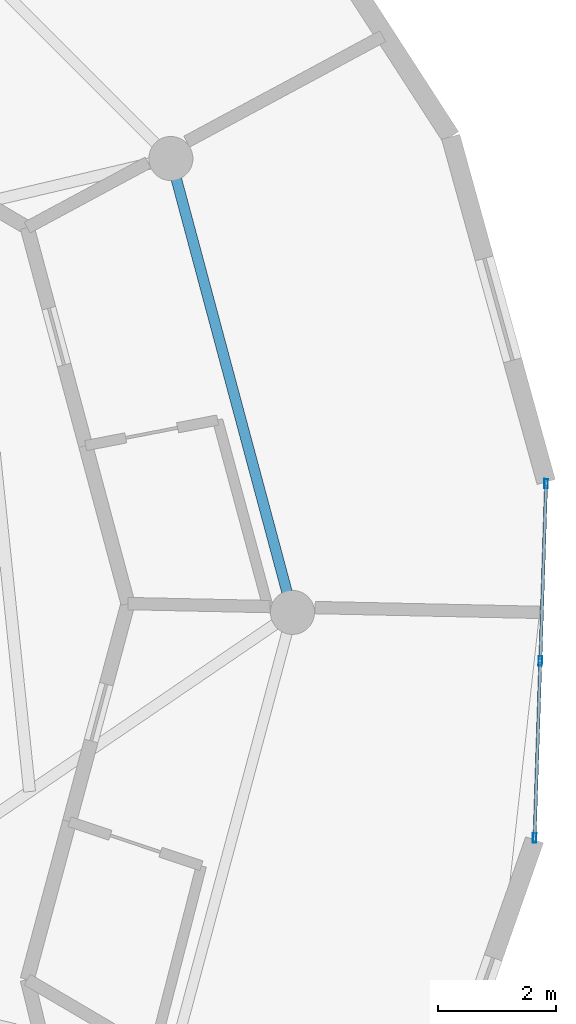
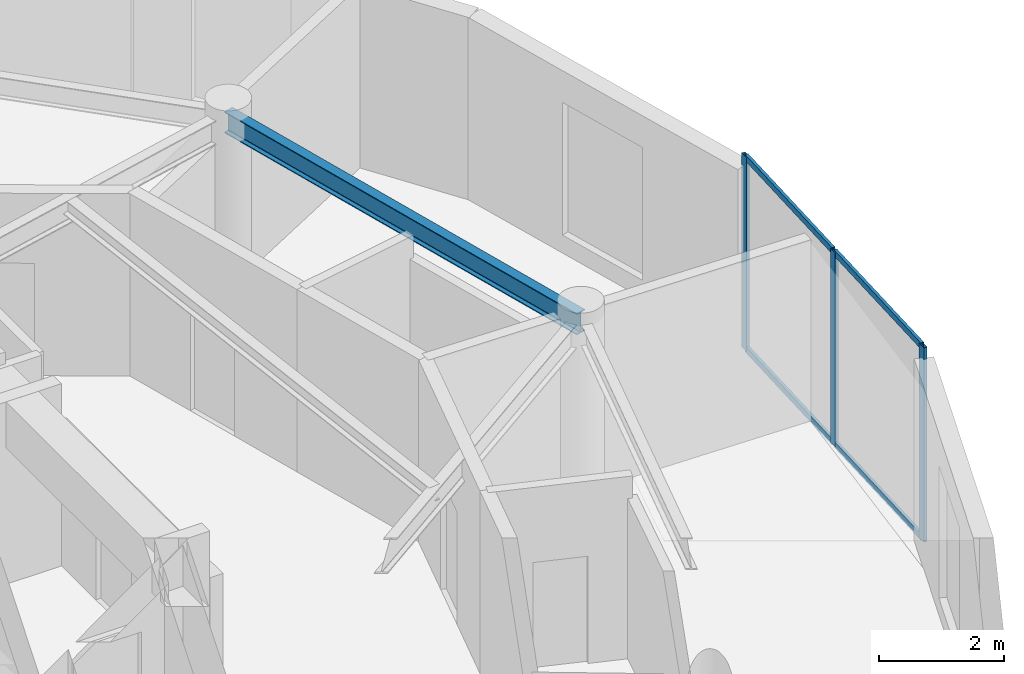
# One storey, part 4 of 16: 7 members, 1 beam, 1 element without a shape of its own.
"""IFC4 building model written with IfcOpenShell, lengths in metres."""

from ifc_helpers import new_model, si_unit, direction, frame, origin, origin_2d, place, context, subcontext, project, spatial, hollow_rectangle, i_section, extrude, source, transform, mapped, material, layer, layer_set, material_profile, profile_set, type_object, element, aggregate, save


model = new_model("IFC4")

# Units and contexts
model_context = context("Model", 3, precision=1e-05, world=origin(), true_north=direction((0.0, 1.0)))
body_context = subcontext(model_context, "Body", "Model", "MODEL_VIEW")
ifc_project = project(units=[si_unit("LENGTHUNIT", "METRE"), si_unit("AREAUNIT", "SQUARE_METRE"), si_unit("VOLUMEUNIT", "CUBIC_METRE"), si_unit("PLANEANGLEUNIT", "RADIAN"), si_unit("MASSUNIT", "GRAM", prefix="KILO")], contexts=[model_context])

# Site, building, storey
site_placement = place(None, origin())
site = spatial("IfcSite", under=ifc_project, at=site_placement, CompositionType="ELEMENT")
building_placement = place(site_placement, origin())
building = spatial("IfcBuilding", under=site, at=building_placement, Name="Solvirekh Grand Hotel", CompositionType="ELEMENT")
storey_placement = place(building_placement, frame((0.0, 0.0, 258.199951171875)))
storey = spatial("IfcBuildingStorey", under=building, at=storey_placement, Name="L67", CompositionType="ELEMENT", Elevation=258.199951171875)

# Beam
ifc_material_1 = material(Name="Steel S355", Category="steel")
ifc_material_profile_1 = material_profile(ifc_material_1, i_section(OverallWidth=0.180908203125, OverallDepth=0.4169921875, WebThickness=0.010009765625, FlangeThickness=0.01611328125, FilletRadius=0.011962890625, at=origin_2d()), Name="W410X85")
ifc_profile_set_1 = profile_set([ifc_material_profile_1], Name="Steel S355")
beam_type = type_object("IfcBeamType", Name="Spandrel_Ring_W410", PredefinedType="SPANDREL", material=ifc_profile_set_1)
beam_placement = place(storey_placement, frame((15.449951171875, 0.0, 3.361083984375), z_axis=(-0.258834757072, 0.965921616143, 0.0), x_axis=(-0.965921616143, -0.258834757072, 0.0)))
element("IfcBeam", 1, at=beam_placement, inside=storey, type_object=beam_type, Name="L67 perimeter spandrel beam 1", PredefinedType="SPANDREL", context=body_context, shape_type="SweptSolid", body=[
    extrude(i_section(OverallWidth=0.180908203125, OverallDepth=0.4169921875, WebThickness=0.010009765625, FlangeThickness=0.01611328125, FilletRadius=0.011962890625, at=origin_2d()), origin(), (0.0, 0.0, 1.0), 7.99755859375),
])

# Curtain wall, members
ifc_material_2 = material(Name="Anodized Bronze Aluminium 6063-T6", Category="aluminium")
ifc_layer = layer(ifc_material_2, 0.159912109375)
ifc_layer_set = layer_set([ifc_layer], Name="Anodized Bronze Aluminium 6063-T6")
curtain_wall_type = type_object("IfcCurtainWallType", Name="CW_Sys4_HighZoneFlushBronzeCW", PredefinedType="NOTDEFINED", material=ifc_layer_set)
curtain_wall_placement = place(storey_placement, origin())
curtain_wall = element("IfcCurtainWall", 2, at=curtain_wall_placement, inside=storey, type_object=curtain_wall_type, Name="L67 unitised bronze-glass curtain wall CW-L67-C05", PredefinedType="NOTDEFINED")
ifc_material_profile_2 = material_profile(ifc_material_2, hollow_rectangle(XDim=0.06005859375, YDim=0.159912109375, WallThickness=0.0048828125, at=origin_2d()), Name="ALU RHS 160X60X5")
ifc_profile_set_2 = profile_set([ifc_material_profile_2], Name="Anodized Bronze Aluminium 6063-T6")
member_type_1 = type_object("IfcMemberType", Name="CWMullion_Sys4", PredefinedType="MULLION", material=ifc_profile_set_2)
shared_shape_1 = source(origin(), body_context, "Body", "SweptSolid", [
    extrude(hollow_rectangle(XDim=0.06005859375, YDim=0.159912109375, WallThickness=0.0048828125, at=origin_2d()), origin(), (0.0, 0.0, 1.0), 3.800048828125),
])
member_1_placement = place(storey_placement, frame((19.571044921875, -3.842041015625, 0.0), z_axis=(0.0, 0.0, 1.0), x_axis=(-0.999472239741, 0.032484488421, 0.0)))
member_1 = element("IfcMember", 3, at=member_1_placement, type_object=member_type_1, Name="U04 mullion 1", PredefinedType="MULLION", context=body_context, shape_type="MappedRepresentation", body=[
    mapped(shared_shape_1, transform((0.0, 0.0, 0.0), x_axis=(1.0, 0.0, 0.0), y_axis=(0.0, 1.0, 0.0), z_axis=(0.0, 0.0, 1.0), scale=1.0)),
])
member_2_placement = place(storey_placement, frame((19.6689453125, -0.825927734375, 0.0), z_axis=(0.0, 0.0, 1.0), x_axis=(-0.999472239741, 0.032484488421, 0.0)))
member_2 = element("IfcMember", 4, at=member_2_placement, type_object=member_type_1, Name="U04 mullion 2", PredefinedType="MULLION", context=body_context, shape_type="MappedRepresentation", body=[
    mapped(shared_shape_1, transform((0.0, 0.0, 0.0), x_axis=(1.0, 0.0, 0.0), y_axis=(0.0, 1.0, 0.0), z_axis=(0.0, 0.0, 1.0), scale=1.0)),
])
member_3_placement = place(storey_placement, frame((19.76708984375, 2.18994140625, 0.0), z_axis=(0.0, 0.0, 1.0), x_axis=(-0.999472239741, 0.032484488421, 0.0)))
member_3 = element("IfcMember", 5, at=member_3_placement, type_object=member_type_1, Name="U04 mullion 3", PredefinedType="MULLION", context=body_context, shape_type="MappedRepresentation", body=[
    mapped(shared_shape_1, transform((0.0, 0.0, 0.0), x_axis=(1.0, 0.0, 0.0), y_axis=(0.0, 1.0, 0.0), z_axis=(0.0, 0.0, 1.0), scale=1.0)),
])
ifc_material_profile_3 = material_profile(ifc_material_2, hollow_rectangle(XDim=0.054931640625, YDim=0.1201171875, WallThickness=0.00390625, at=origin_2d()), Name="ALU RHS 120X55X4")
ifc_profile_set_3 = profile_set([ifc_material_profile_3], Name="Anodized Bronze Aluminium 6063-T6")
member_type_2 = type_object("IfcMemberType", Name="CWTransom_Sys4", PredefinedType="USERDEFINED", material=ifc_profile_set_3)
shared_shape_2 = source(origin(), body_context, "Body", "SweptSolid", [
    extrude(hollow_rectangle(XDim=0.054931640625, YDim=0.1201171875, WallThickness=0.00390625, at=origin_2d()), origin(), (0.0, 0.0, 1.0), 2.957275390625),
])
member_4_placement = place(storey_placement, frame((19.669921875, -0.7958984375, 0.027587890625), z_axis=(0.032525937997, 0.999470891701, 0.0), x_axis=(-0.999470891701, 0.032525937997, 0.0)))
member_4 = element("IfcMember", 6, at=member_4_placement, type_object=member_type_2, Name="U04 transom 2.1", ObjectType="TRANSOM", PredefinedType="USERDEFINED", context=body_context, shape_type="MappedRepresentation", body=[
    mapped(shared_shape_2, transform((0.0, 0.0, 0.0), x_axis=(1.0, 0.0, 0.0), y_axis=(0.0, 1.0, 0.0), z_axis=(0.0, 0.0, 1.0), scale=1.0)),
])
member_5_placement = place(storey_placement, frame((19.669921875, -0.7958984375, 3.7724609375), z_axis=(0.032525937997, 0.999470891701, 0.0), x_axis=(-0.999470891701, 0.032525937997, 0.0)))
member_5 = element("IfcMember", 7, at=member_5_placement, type_object=member_type_2, Name="U04 transom 2.2", ObjectType="TRANSOM", PredefinedType="USERDEFINED", context=body_context, shape_type="MappedRepresentation", body=[
    mapped(shared_shape_2, transform((0.0, 0.0, 0.0), x_axis=(1.0, 0.0, 0.0), y_axis=(0.0, 1.0, 0.0), z_axis=(0.0, 0.0, 1.0), scale=1.0)),
])
shared_shape_3 = source(origin(), body_context, "Body", "SweptSolid", [
    extrude(hollow_rectangle(XDim=0.054931640625, YDim=0.1201171875, WallThickness=0.00390625, at=origin_2d()), origin(), (0.0, 0.0, 1.0), 2.95751953125),
])
member_6_placement = place(storey_placement, frame((19.572021484375, -3.81201171875, 0.027587890625), z_axis=(0.032440795172, 0.999473658887, 0.0), x_axis=(-0.999473658887, 0.032440795172, 0.0)))
member_6 = element("IfcMember", 8, at=member_6_placement, type_object=member_type_2, Name="U04 transom 1.1", ObjectType="TRANSOM", PredefinedType="USERDEFINED", context=body_context, shape_type="MappedRepresentation", body=[
    mapped(shared_shape_3, transform((0.0, 0.0, 0.0), x_axis=(1.0, 0.0, 0.0), y_axis=(0.0, 1.0, 0.0), z_axis=(0.0, 0.0, 1.0), scale=1.0)),
])
member_7_placement = place(storey_placement, frame((19.572021484375, -3.81201171875, 3.7724609375), z_axis=(0.032440795172, 0.999473658887, 0.0), x_axis=(-0.999473658887, 0.032440795172, 0.0)))
member_7 = element("IfcMember", 9, at=member_7_placement, type_object=member_type_2, Name="U04 transom 1.2", ObjectType="TRANSOM", PredefinedType="USERDEFINED", context=body_context, shape_type="MappedRepresentation", body=[
    mapped(shared_shape_3, transform((0.0, 0.0, 0.0), x_axis=(1.0, 0.0, 0.0), y_axis=(0.0, 1.0, 0.0), z_axis=(0.0, 0.0, 1.0), scale=1.0)),
])
aggregate(curtain_wall, [member_1, member_2, member_3, member_6, member_7, member_4, member_5])

save(model, "model.ifc")
